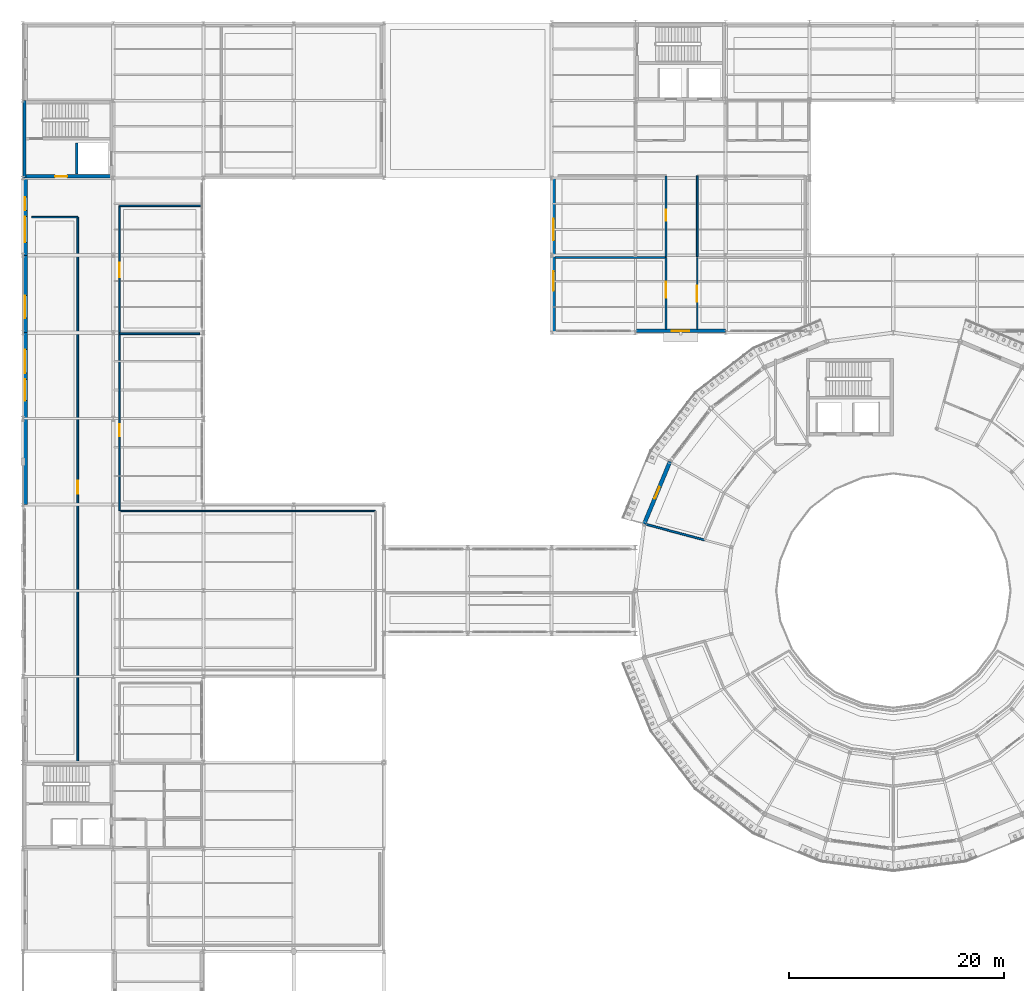
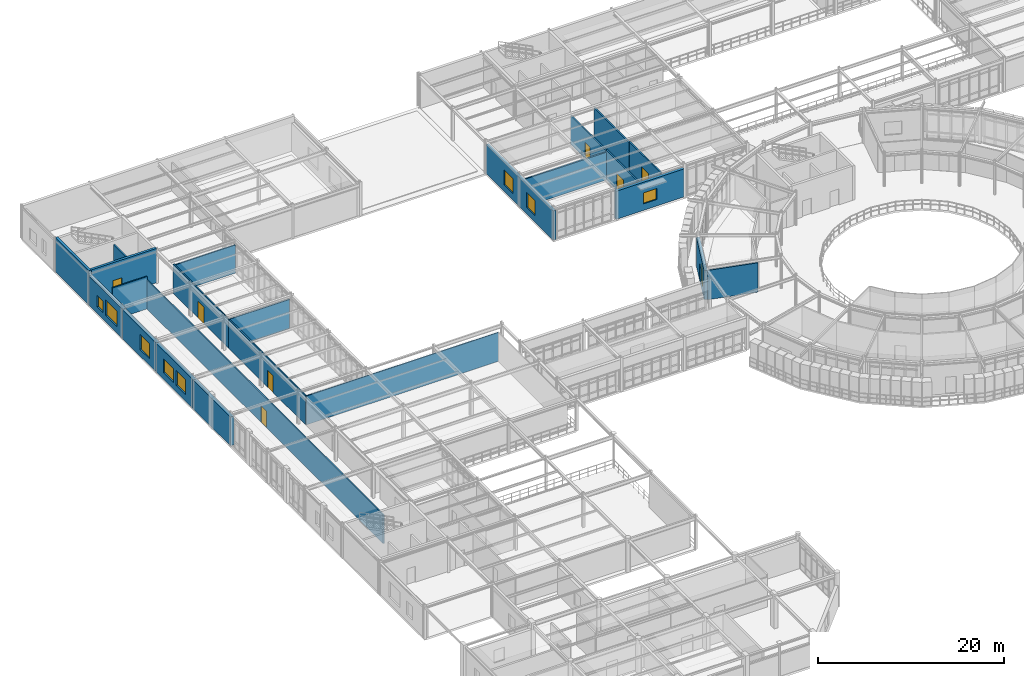
# One storey, part 88 of 106: 23 walls, 8 doors, 8 windows, 16 openings.
"""IFC4 building model written with IfcOpenShell, lengths in metres."""

from ifc_helpers import new_model, si_unit, derived_unit, direction, frame, frame_2d, origin, place, context, subcontext, project, spatial, rectangle, extrude, material, layer, layer_set, type_object, element, fill, save


model = new_model("IFC4")

# Units and contexts
model_context = context("Model", 3, precision=1e-05, world=origin(), true_north=direction((0.0, 1.0)))
body_context = subcontext(model_context, "Body", "Model", "MODEL_VIEW")
ifc_project = project(units=[si_unit("LENGTHUNIT", "METRE"), si_unit("AREAUNIT", "SQUARE_METRE"), si_unit("VOLUMEUNIT", "CUBIC_METRE"), si_unit("PLANEANGLEUNIT", "RADIAN"), si_unit("MASSUNIT", "GRAM", prefix="KILO"), derived_unit("THERMALTRANSMITTANCEUNIT", [(si_unit("POWERUNIT", "WATT"), 1), (si_unit("AREAUNIT", "SQUARE_METRE"), -1), (si_unit("THERMODYNAMICTEMPERATUREUNIT", "KELVIN"), -1)])], contexts=[model_context])

# Site, building, storey
site_placement = place(None, origin())
site = spatial("IfcSite", under=ifc_project, at=site_placement, CompositionType="ELEMENT")
building_placement = place(site_placement, origin())
building = spatial("IfcBuilding", under=site, at=building_placement, Name="Yasenodar Specialist Clinic", CompositionType="ELEMENT")
storey_placement = place(building_placement, frame((0.0, 0.0, 4.5)))
storey = spatial("IfcBuildingStorey", under=building, at=storey_placement, Name="L01", CompositionType="ELEMENT", Elevation=4.5)

# Wall, opening, door
ifc_material_1 = material(Name="Drum Insulated Terracotta Chord Wall", Category="masonry")
ifc_layer_1 = layer(ifc_material_1, 0.364990234375)
ifc_layer_set_1 = layer_set([ifc_layer_1], Name="Drum Insulated Terracotta Chord Wall")
wall_type_1 = type_object("IfcWallType", Name="EW-DRUM-365", PredefinedType="SOLIDWALL", material=ifc_layer_set_1)
wall_1_placement = place(storey_placement, frame((57.81787109375, 65.01171875, 0.0), z_axis=(0.0, 0.0, 1.0), x_axis=(0.382663829839, 0.9238876519, 0.0)))
wall_1 = element("IfcWall", 1, at=wall_1_placement, inside=storey, type_object=wall_type_1, Name="L01 Exterior Facade Wall 0012", PredefinedType="SOLIDWALL", context=body_context, shape_type="SweptSolid", body=[
    extrude(rectangle(XDim=6.26513671875, YDim=0.364990234375, at=frame_2d((3.132568359375, 0.0))), origin(), (0.0, 0.0, 1.0), 3.837890625),
])
opening_1_placement = place(wall_1_placement, frame((2.5576171875, 0.0, 0.0)))
opening_1 = element("IfcOpeningElement", 2, at=opening_1_placement, cuts=wall_1, Name="Opening BD-02", PredefinedType="OPENING", context=body_context, shape_type="SweptSolid", body=[
    extrude(rectangle(XDim=1.14990234375, YDim=2.199951171875, at=frame_2d((0.574951171875, 1.10009765625))), frame((0.0, 0.1923828125, 0.0), z_axis=(0.0, -1.0, 0.0), x_axis=(1.0, 0.0, 0.0)), (0.0, 0.0, 1.0), 0.385009765625),
])
ifc_material_2 = material(Name="Thermally Broken Bronze Anodized Aluminium and Laminated Glass", Category="aluminium")
door_type_1 = type_object("IfcDoorType", Name="DR-BALC-115", OperationType="NOTDEFINED", PredefinedType="DOOR", material=ifc_material_2)
door_1_placement = place(opening_1_placement, origin())
door_1 = element("IfcDoor", 3, at=door_1_placement, inside=storey, type_object=door_type_1, Name="L01 Drum Balcony Access Door Sector 10", OperationType="SINGLE_SWING_RIGHT", OverallHeight=2.199951171875, OverallWidth=1.14990234375, PredefinedType="DOOR", context=body_context, shape_type="SweptSolid", body=[
    extrude(rectangle(XDim=1.14990234375, YDim=2.199951171875, at=frame_2d((0.574951171875, 1.10009765625))), frame((0.0, 0.02490234375, 0.0), z_axis=(0.0, -1.0, 0.0), x_axis=(1.0, 0.0, 0.0)), (0.0, 0.0, 1.0), 0.050048828125),
])
fill(opening_1, door_1)

# Wall
ifc_material_3 = material(Name="Kapustianske Red Granite Ashlar Rainscreen", Category="masonry")
ifc_layer_2 = layer(ifc_material_3, 0.419921875)
ifc_layer_set_2 = layer_set([ifc_layer_2], Name="Kapustianske Red Granite Ashlar Rainscreen")
wall_type_2 = type_object("IfcWallType", Name="EW-GRAN-420", PredefinedType="SOLIDWALL", material=ifc_layer_set_2)
wall_2_placement = place(storey_placement, frame((0.199951171875, 66.800048828125, 0.0), z_axis=(0.0, 0.0, 1.0), x_axis=(0.0, 1.0, 0.0)))
element("IfcWall", 4, at=wall_2_placement, inside=storey, type_object=wall_type_2, Name="L01 Exterior Facade Wall 0092", PredefinedType="SOLIDWALL", context=body_context, shape_type="SweptSolid", body=[
    extrude(rectangle(XDim=8.0, YDim=0.419921875, at=frame_2d((4.0, 0.0))), origin(), (0.0, 0.0, 1.0), 3.778076171875),
])

# Wall, openings, windows
wall_3_placement = place(storey_placement, frame((0.199951171875, 74.800048828125, 0.0), z_axis=(0.0, 0.0, 1.0), x_axis=(0.0, 1.0, 0.0)))
wall_3 = element("IfcWall", 5, at=wall_3_placement, inside=storey, type_object=wall_type_2, Name="L01 Exterior Facade Wall 0093", PredefinedType="SOLIDWALL", context=body_context, shape_type="SweptSolid", body=[
    extrude(rectangle(XDim=8.0, YDim=0.419921875, at=frame_2d((4.0, 0.0))), origin(), (0.0, 0.0, 1.0), 3.778076171875),
])
opening_2_placement = place(wall_3_placement, frame((1.666748046875, 0.0, 0.85009765625)))
opening_2 = element("IfcOpeningElement", 6, at=opening_2_placement, cuts=wall_3, Name="Opening W-06", PredefinedType="OPENING", context=body_context, shape_type="SweptSolid", body=[
    extrude(rectangle(XDim=2.0, YDim=1.949951171875, at=frame_2d((1.0, 0.97509765625))), frame((0.0, 0.219970703125, 0.0), z_axis=(0.0, -1.0, 0.0), x_axis=(1.0, 0.0, 0.0)), (0.0, 0.0, 1.0), 0.43994140625),
])
opening_3_placement = place(wall_3_placement, frame((4.2333984375, 0.0, 0.85009765625)))
opening_3 = element("IfcOpeningElement", 7, at=opening_3_placement, cuts=wall_3, Name="Opening W-13", PredefinedType="OPENING", context=body_context, shape_type="SweptSolid", body=[
    extrude(rectangle(XDim=2.199951171875, YDim=1.85009765625, at=frame_2d((1.10009765625, 0.925048828125))), frame((0.0, 0.219970703125, 0.0), z_axis=(0.0, -1.0, 0.0), x_axis=(1.0, 0.0, 0.0)), (0.0, 0.0, 1.0), 0.43994140625),
])
ifc_material_4 = material(Name="Triple Low-E Argon Glazing in Bronze Aluminium Frame", Category="aluminium")
window_type_1 = type_object("IfcWindowType", Name="WIN-EXT-06", PartitioningType="SINGLE_PANEL", PredefinedType="WINDOW", material=ifc_material_4)
window_1_placement = place(opening_2_placement, origin())
window_1 = element("IfcWindow", 8, at=window_1_placement, inside=storey, type_object=window_type_1, Name="L01 Triple-Glazed Reveal Window 0081", OverallHeight=1.949951171875, OverallWidth=2.0, PartitioningType="SINGLE_PANEL", PredefinedType="WINDOW", context=body_context, shape_type="SweptSolid", body=[
    extrude(rectangle(XDim=2.0, YDim=1.949951171875, at=frame_2d((1.0, 0.97509765625))), frame((0.0, 0.030029296875, 0.0), z_axis=(0.0, -1.0, 0.0), x_axis=(1.0, 0.0, 0.0)), (0.0, 0.0, 1.0), 0.06005859375),
])
fill(opening_2, window_1)
window_type_2 = type_object("IfcWindowType", Name="WIN-EXT-13", PartitioningType="SINGLE_PANEL", PredefinedType="WINDOW", material=ifc_material_4)
window_2_placement = place(opening_3_placement, origin())
window_2 = element("IfcWindow", 9, at=window_2_placement, inside=storey, type_object=window_type_2, Name="L01 Triple-Glazed Reveal Window 0082", OverallHeight=1.85009765625, OverallWidth=2.199951171875, PartitioningType="SINGLE_PANEL", PredefinedType="WINDOW", context=body_context, shape_type="SweptSolid", body=[
    extrude(rectangle(XDim=2.199951171875, YDim=1.85009765625, at=frame_2d((1.10009765625, 0.925048828125))), frame((0.0, 0.030029296875, 0.0), z_axis=(0.0, -1.0, 0.0), x_axis=(1.0, 0.0, 0.0)), (0.0, 0.0, 1.0), 0.06005859375),
])
fill(opening_3, window_2)

# Wall, opening, window
wall_4_placement = place(storey_placement, frame((0.199951171875, 82.800048828125, 0.0), z_axis=(0.0, 0.0, 1.0), x_axis=(0.0, 1.0, 0.0)))
wall_4 = element("IfcWall", 10, at=wall_4_placement, inside=storey, type_object=wall_type_2, Name="L01 Exterior Facade Wall 0094", PredefinedType="SOLIDWALL", context=body_context, shape_type="SweptSolid", body=[
    extrude(rectangle(XDim=7.199951171875, YDim=0.419921875, at=frame_2d((3.60009765625, 0.0))), origin(), (0.0, 0.0, 1.0), 3.7880859375),
])
opening_4_placement = place(wall_4_placement, frame((1.35009765625, 0.0, 0.85009765625)))
opening_4 = element("IfcOpeningElement", 11, at=opening_4_placement, cuts=wall_4, Name="Opening W-07", PredefinedType="OPENING", context=body_context, shape_type="SweptSolid", body=[
    extrude(rectangle(XDim=2.10009765625, YDim=2.0, at=frame_2d((1.050048828125, 1.0))), frame((0.0, 0.219970703125, 0.0), z_axis=(0.0, -1.0, 0.0), x_axis=(1.0, 0.0, 0.0)), (0.0, 0.0, 1.0), 0.43994140625),
])
window_type_3 = type_object("IfcWindowType", Name="WIN-EXT-07", PartitioningType="SINGLE_PANEL", PredefinedType="WINDOW", material=ifc_material_4)
window_3_placement = place(opening_4_placement, origin())
window_3 = element("IfcWindow", 12, at=window_3_placement, inside=storey, type_object=window_type_3, Name="L01 Triple-Glazed Reveal Window 0083", OverallHeight=2.0, OverallWidth=2.10009765625, PartitioningType="SINGLE_PANEL", PredefinedType="WINDOW", context=body_context, shape_type="SweptSolid", body=[
    extrude(rectangle(XDim=2.10009765625, YDim=2.0, at=frame_2d((1.050048828125, 1.0))), frame((0.0, 0.030029296875, 0.0), z_axis=(0.0, -1.0, 0.0), x_axis=(1.0, 0.0, 0.0)), (0.0, 0.0, 1.0), 0.06005859375),
])
fill(opening_4, window_3)

# Wall, openings, windows
wall_5_placement = place(storey_placement, frame((0.199951171875, 90.0, 0.0), z_axis=(0.0, 0.0, 1.0), x_axis=(0.0, 1.0, 0.0)))
wall_5 = element("IfcWall", 13, at=wall_5_placement, inside=storey, type_object=wall_type_2, Name="L01 Exterior Facade Wall 0095", PredefinedType="SOLIDWALL", context=body_context, shape_type="SweptSolid", body=[
    extrude(rectangle(XDim=7.199951171875, YDim=0.419921875, at=frame_2d((3.60009765625, 0.0))), origin(), (0.0, 0.0, 1.0), 3.837890625),
])
opening_5_placement = place(wall_5_placement, frame((1.199951171875, 0.0, 0.85009765625)))
opening_5 = element("IfcOpeningElement", 14, at=opening_5_placement, cuts=wall_5, Name="Opening W-08", PredefinedType="OPENING", context=body_context, shape_type="SweptSolid", body=[
    extrude(rectangle(XDim=2.39990234375, YDim=2.050048828125, at=frame_2d((1.199951171875, 1.02490234375))), frame((0.0, 0.219970703125, 0.0), z_axis=(0.0, -1.0, 0.0), x_axis=(1.0, 0.0, 0.0)), (0.0, 0.0, 1.0), 0.43994140625),
])
opening_6_placement = place(wall_5_placement, frame((4.175048828125, 0.0, 0.85009765625)))
opening_6 = element("IfcOpeningElement", 15, at=opening_6_placement, cuts=wall_5, Name="Opening W-15", PredefinedType="OPENING", context=body_context, shape_type="SweptSolid", body=[
    extrude(rectangle(XDim=1.25, YDim=1.5, at=frame_2d((0.625, 0.75))), frame((0.0, 0.219970703125, 0.0), z_axis=(0.0, -1.0, 0.0), x_axis=(1.0, 0.0, 0.0)), (0.0, 0.0, 1.0), 0.43994140625),
])
window_type_4 = type_object("IfcWindowType", Name="WIN-EXT-08", PartitioningType="SINGLE_PANEL", PredefinedType="WINDOW", material=ifc_material_4)
window_4_placement = place(opening_5_placement, origin())
window_4 = element("IfcWindow", 16, at=window_4_placement, inside=storey, type_object=window_type_4, Name="L01 Triple-Glazed Reveal Window 0084", OverallHeight=2.050048828125, OverallWidth=2.39990234375, PartitioningType="SINGLE_PANEL", PredefinedType="WINDOW", context=body_context, shape_type="SweptSolid", body=[
    extrude(rectangle(XDim=2.39990234375, YDim=2.050048828125, at=frame_2d((1.199951171875, 1.02490234375))), frame((0.0, 0.030029296875, 0.0), z_axis=(0.0, -1.0, 0.0), x_axis=(1.0, 0.0, 0.0)), (0.0, 0.0, 1.0), 0.06005859375),
])
fill(opening_5, window_4)
window_type_5 = type_object("IfcWindowType", Name="WIN-EXT-15", PartitioningType="SINGLE_PANEL", PredefinedType="WINDOW", material=ifc_material_4)
window_5_placement = place(opening_6_placement, origin())
window_5 = element("IfcWindow", 17, at=window_5_placement, inside=storey, type_object=window_type_5, Name="L01 Triple-Glazed Reveal Window 0085", OverallHeight=1.5, OverallWidth=1.25, PartitioningType="SINGLE_PANEL", PredefinedType="WINDOW", context=body_context, shape_type="SweptSolid", body=[
    extrude(rectangle(XDim=1.25, YDim=1.5, at=frame_2d((0.625, 0.75))), frame((0.0, 0.030029296875, 0.0), z_axis=(0.0, -1.0, 0.0), x_axis=(1.0, 0.0, 0.0)), (0.0, 0.0, 1.0), 0.06005859375),
])
fill(opening_6, window_5)

# Wall, opening, window
ifc_material_5 = material(Name="Buff Architectural Terracotta Rainscreen", Category="masonry")
ifc_layer_3 = layer(ifc_material_5, 0.340087890625)
ifc_layer_set_3 = layer_set([ifc_layer_3], Name="Buff Architectural Terracotta Rainscreen")
wall_type_3 = type_object("IfcWallType", Name="EW-TERR-340", PredefinedType="SOLIDWALL", material=ifc_layer_set_3)
wall_6_placement = place(storey_placement, frame((65.39990234375, 82.969970703125, 0.0), z_axis=(0.0, 0.0, 1.0), x_axis=(-1.0, 0.0, 0.0)))
wall_6 = element("IfcWall", 18, at=wall_6_placement, inside=storey, type_object=wall_type_3, Name="L01 Exterior Facade Wall 0138", PredefinedType="SOLIDWALL", context=body_context, shape_type="SweptSolid", body=[
    extrude(rectangle(XDim=8.39990234375, YDim=0.340087890625, at=frame_2d((4.199951171875, 0.0))), origin(), (0.0, 0.0, 1.0), 3.677978515625),
])
opening_7_placement = place(wall_6_placement, frame((3.375, 0.0, 0.85009765625)))
opening_7 = element("IfcOpeningElement", 19, at=opening_7_placement, cuts=wall_6, Name="Opening W-20", PredefinedType="OPENING", context=body_context, shape_type="SweptSolid", body=[
    extrude(rectangle(XDim=1.64990234375, YDim=1.449951171875, at=frame_2d((0.824951171875, 0.72509765625))), frame((0.0, 0.18017578125, 0.0), z_axis=(0.0, -1.0, 0.0), x_axis=(1.0, 0.0, 0.0)), (0.0, 0.0, 1.0), 0.360107421875),
])
window_type_6 = type_object("IfcWindowType", Name="WIN-EXT-20", PartitioningType="SINGLE_PANEL", PredefinedType="WINDOW", material=ifc_material_4)
window_6_placement = place(opening_7_placement, origin())
window_6 = element("IfcWindow", 20, at=window_6_placement, inside=storey, type_object=window_type_6, Name="L01 Triple-Glazed Reveal Window 0154", OverallHeight=1.449951171875, OverallWidth=1.64990234375, PartitioningType="SINGLE_PANEL", PredefinedType="WINDOW", context=body_context, shape_type="SweptSolid", body=[
    extrude(rectangle(XDim=1.64990234375, YDim=1.449951171875, at=frame_2d((0.824951171875, 0.72509765625))), frame((0.0, 0.030029296875, 0.0), z_axis=(0.0, -1.0, 0.0), x_axis=(1.0, 0.0, 0.0)), (0.0, 0.0, 1.0), 0.06005859375),
])
fill(opening_7, window_6)

# Wall, openings, windows
wall_7_placement = place(storey_placement, frame((49.3701171875, 82.800048828125, 0.0), z_axis=(0.0, 0.0, 1.0), x_axis=(0.0, 1.0, 0.0)))
wall_7 = element("IfcWall", 21, at=wall_7_placement, inside=storey, type_object=wall_type_3, Name="L01 Exterior Facade Wall 0158", PredefinedType="SOLIDWALL", context=body_context, shape_type="SweptSolid", body=[
    extrude(rectangle(XDim=14.39990234375, YDim=0.340087890625, at=frame_2d((7.199951171875, 0.0))), origin(), (0.0, 0.0, 1.0), 3.827880859375),
])
opening_8_placement = place(wall_7_placement, frame((3.89990234375, 0.0, 0.85009765625)))
opening_8 = element("IfcOpeningElement", 22, at=opening_8_placement, cuts=wall_7, Name="Opening W-05", PredefinedType="OPENING", context=body_context, shape_type="SweptSolid", body=[
    extrude(rectangle(XDim=1.800048828125, YDim=1.949951171875, at=frame_2d((0.89990234375, 0.97509765625))), frame((0.0, 0.18017578125, 0.0), z_axis=(0.0, -1.0, 0.0), x_axis=(1.0, 0.0, 0.0)), (0.0, 0.0, 1.0), 0.360107421875),
])
opening_9_placement = place(wall_7_placement, frame((8.60009765625, 0.0, 0.85009765625)))
opening_9 = element("IfcOpeningElement", 23, at=opening_9_placement, cuts=wall_7, Name="Opening W-06", PredefinedType="OPENING", context=body_context, shape_type="SweptSolid", body=[
    extrude(rectangle(XDim=2.0, YDim=1.949951171875, at=frame_2d((1.0, 0.97509765625))), frame((0.0, 0.18017578125, 0.0), z_axis=(0.0, -1.0, 0.0), x_axis=(1.0, 0.0, 0.0)), (0.0, 0.0, 1.0), 0.360107421875),
])
window_type_7 = type_object("IfcWindowType", Name="WIN-EXT-05", PartitioningType="SINGLE_PANEL", PredefinedType="WINDOW", material=ifc_material_4)
window_7_placement = place(opening_8_placement, origin())
window_7 = element("IfcWindow", 24, at=window_7_placement, inside=storey, type_object=window_type_7, Name="L01 Triple-Glazed Reveal Window 0172", OverallHeight=1.949951171875, OverallWidth=1.800048828125, PartitioningType="SINGLE_PANEL", PredefinedType="WINDOW", context=body_context, shape_type="SweptSolid", body=[
    extrude(rectangle(XDim=1.800048828125, YDim=1.949951171875, at=frame_2d((0.89990234375, 0.97509765625))), frame((0.0, 0.030029296875, 0.0), z_axis=(0.0, -1.0, 0.0), x_axis=(1.0, 0.0, 0.0)), (0.0, 0.0, 1.0), 0.06005859375),
])
fill(opening_8, window_7)
window_8_placement = place(opening_9_placement, origin())
window_8 = element("IfcWindow", 25, at=window_8_placement, inside=storey, type_object=window_type_1, Name="L01 Triple-Glazed Reveal Window 0173", OverallHeight=1.949951171875, OverallWidth=2.0, PartitioningType="SINGLE_PANEL", PredefinedType="WINDOW", context=body_context, shape_type="SweptSolid", body=[
    extrude(rectangle(XDim=2.0, YDim=1.949951171875, at=frame_2d((1.0, 0.97509765625))), frame((0.0, 0.030029296875, 0.0), z_axis=(0.0, -1.0, 0.0), x_axis=(1.0, 0.0, 0.0)), (0.0, 0.0, 1.0), 0.06005859375),
])
fill(opening_9, window_8)

# Wall, opening, door
ifc_material_6 = material(Name="Outpatient Examination Partition")
ifc_layer_4 = layer(ifc_material_6, 0.14990234375)
ifc_layer_set_4 = layer_set([ifc_layer_4], Name="Outpatient Examination Partition")
wall_type_4 = type_object("IfcWallType", Name="IW-CONS-150", PredefinedType="PARTITIONING", material=ifc_layer_set_4)
wall_8_placement = place(storey_placement, frame((5.10009765625, 42.780029296875, 0.0), z_axis=(0.0, 0.0, 1.0), x_axis=(0.0, 1.0, 0.0)))
wall_8 = element("IfcWall", 26, at=wall_8_placement, inside=storey, type_object=wall_type_4, Name="L01 Cardiology Outpatient Consulting Suite Partition", PredefinedType="PARTITIONING", context=body_context, shape_type="SweptSolid", body=[
    extrude(rectangle(XDim=50.77001953125, YDim=0.14990234375, at=frame_2d((25.385009765625, 0.0))), origin(), (0.0, 0.0, 1.0), 3.778076171875),
])
opening_10_placement = place(wall_8_placement, frame((25.044921875, 0.0, 0.0)))
opening_10 = element("IfcOpeningElement", 27, at=opening_10_placement, cuts=wall_8, Name="Opening D-06", PredefinedType="OPENING", context=body_context, shape_type="SweptSolid", body=[
    extrude(rectangle(XDim=1.179931640625, YDim=2.199951171875, at=frame_2d((0.58984375, 1.10009765625))), frame((0.0, 0.0849609375, 0.0), z_axis=(0.0, -1.0, 0.0), x_axis=(1.0, 0.0, 0.0)), (0.0, 0.0, 1.0), 0.169921875),
])
ifc_material_7 = material(Name="Powder-Coated Steel and Acoustic Laminate Leaf", Category="steel")
door_type_2 = type_object("IfcDoorType", Name="DR-CLN-118", OperationType="NOTDEFINED", PredefinedType="DOOR", material=ifc_material_7)
door_2_placement = place(opening_10_placement, origin())
door_2 = element("IfcDoor", 28, at=door_2_placement, inside=storey, type_object=door_type_2, Name="L01 Cardiology Outpatient Consulting Suite Door", OperationType="SINGLE_SWING_RIGHT", OverallHeight=2.199951171875, OverallWidth=1.179931640625, PredefinedType="DOOR", context=body_context, shape_type="SweptSolid", body=[
    extrude(rectangle(XDim=1.179931640625, YDim=2.199951171875, at=frame_2d((0.58984375, 1.10009765625))), frame((0.0, 0.02490234375, 0.0), z_axis=(0.0, -1.0, 0.0), x_axis=(1.0, 0.0, 0.0)), (0.0, 0.0, 1.0), 0.050048828125),
])
fill(opening_10, door_2)

# Wall
wall_9_placement = place(storey_placement, frame((5.10009765625, 93.550048828125, 0.0), z_axis=(0.0, 0.0, 1.0), x_axis=(-1.0, 0.0, 0.0)))
element("IfcWall", 29, at=wall_9_placement, inside=storey, type_object=wall_type_4, Name="L01 Cardiology Outpatient Consulting Suite Partition", PredefinedType="PARTITIONING", context=body_context, shape_type="SweptSolid", body=[
    extrude(rectangle(XDim=4.300048828125, YDim=0.14990234375, at=frame_2d((2.14990234375, 0.0))), origin(), (0.0, 0.0, 1.0), 4.22998046875),
])

# Wall, opening, door
wall_10_placement = place(storey_placement, frame((9.0, 82.699951171875, 0.0), z_axis=(0.0, 0.0, 1.0), x_axis=(0.0, -1.0, 0.0)))
wall_10 = element("IfcWall", 30, at=wall_10_placement, inside=storey, type_object=wall_type_4, Name="L01 Diabetes Education Consulting Room Partition", PredefinedType="PARTITIONING", context=body_context, shape_type="SweptSolid", body=[
    extrude(rectangle(XDim=16.46240234375, YDim=0.14990234375, at=frame_2d((8.231201171875, 0.0))), origin(), (0.0, 0.0, 1.0), 3.827880859375),
])
opening_11_placement = place(wall_10_placement, frame((8.39990234375, 0.0, 0.0)))
opening_11 = element("IfcOpeningElement", 31, at=opening_11_placement, cuts=wall_10, Name="Opening D-05", PredefinedType="OPENING", context=body_context, shape_type="SweptSolid", body=[
    extrude(rectangle(XDim=1.1201171875, YDim=2.179931640625, at=frame_2d((0.56005859375, 1.08984375))), frame((0.0, 0.0849609375, 0.0), z_axis=(0.0, -1.0, 0.0), x_axis=(1.0, 0.0, 0.0)), (0.0, 0.0, 1.0), 0.169921875),
])
door_type_3 = type_object("IfcDoorType", Name="DR-CLN-112", OperationType="NOTDEFINED", PredefinedType="DOOR", material=ifc_material_7)
door_3_placement = place(opening_11_placement, origin())
door_3 = element("IfcDoor", 32, at=door_3_placement, inside=storey, type_object=door_type_3, Name="L01 Diabetes Education Consulting Room Door", OperationType="SINGLE_SWING_LEFT", OverallHeight=2.179931640625, OverallWidth=1.1201171875, PredefinedType="DOOR", context=body_context, shape_type="SweptSolid", body=[
    extrude(rectangle(XDim=1.1201171875, YDim=2.179931640625, at=frame_2d((0.56005859375, 1.08984375))), frame((0.0, 0.02490234375, 0.0), z_axis=(0.0, -1.0, 0.0), x_axis=(1.0, 0.0, 0.0)), (0.0, 0.0, 1.0), 0.050048828125),
])
fill(opening_11, door_3)

# Walls
wall_11_placement = place(storey_placement, frame((16.449951171875, 82.699951171875, 0.0), z_axis=(0.0, 0.0, 1.0), x_axis=(-1.0, 0.0, 0.0)))
element("IfcWall", 33, at=wall_11_placement, inside=storey, type_object=wall_type_4, Name="L01 Diabetes Education Consulting Room Partition", PredefinedType="PARTITIONING", context=body_context, shape_type="SweptSolid", body=[
    extrude(rectangle(XDim=7.449951171875, YDim=0.14990234375, at=frame_2d((3.72509765625, 0.0))), origin(), (0.0, 0.0, 1.0), 3.837890625),
])
ifc_material_8 = material(Name="Lightweight Counseling Partition")
ifc_layer_5 = layer(ifc_material_8, 0.114990234375)
ifc_layer_set_5 = layer_set([ifc_layer_5], Name="Lightweight Counseling Partition")
wall_type_5 = type_object("IfcWallType", Name="IW-PART-115", PredefinedType="PARTITIONING", material=ifc_layer_set_5)
wall_12_placement = place(storey_placement, frame((9.0, 66.199951171875, 0.0), z_axis=(0.0, 0.0, 1.0), x_axis=(1.0, 0.0, 0.0)))
element("IfcWall", 34, at=wall_12_placement, inside=storey, type_object=wall_type_5, Name="L01 Light Bridge Waiting Lounge Partition", PredefinedType="PARTITIONING", context=body_context, shape_type="SweptSolid", body=[
    extrude(rectangle(XDim=23.800048828125, YDim=0.114990234375, at=frame_2d((11.89990234375, 0.0))), origin(), (0.0, 0.0, 1.0), 3.778076171875),
])

# Wall, opening, door
ifc_material_9 = material(Name="Clinical Sub-Division Partition")
ifc_layer_6 = layer(ifc_material_9, 0.125)
ifc_layer_set_6 = layer_set([ifc_layer_6], Name="Clinical Sub-Division Partition")
wall_type_6 = type_object("IfcWallType", Name="IW-PART-125", PredefinedType="PARTITIONING", material=ifc_layer_set_6)
wall_13_placement = place(storey_placement, frame((9.0, 94.60009765625, 0.0), z_axis=(0.0, 0.0, 1.0), x_axis=(0.0, -1.0, 0.0)))
wall_13 = element("IfcWall", 35, at=wall_13_placement, inside=storey, type_object=wall_type_6, Name="L01 Metabolic Nutrition Consulting Room Partition", PredefinedType="PARTITIONING", context=body_context, shape_type="SweptSolid", body=[
    extrude(rectangle(XDim=11.84521484375, YDim=0.125, at=frame_2d((5.922607421875, 0.0))), origin(), (0.0, 0.0, 1.0), 3.837890625),
])
opening_12_placement = place(wall_13_placement, frame((5.300048828125, 0.0, 0.0)))
opening_12 = element("IfcOpeningElement", 36, at=opening_12_placement, cuts=wall_13, Name="Opening D-11", PredefinedType="OPENING", context=body_context, shape_type="SweptSolid", body=[
    extrude(rectangle(XDim=1.360107421875, YDim=2.199951171875, at=frame_2d((0.68017578125, 1.10009765625))), frame((0.0, 0.072509765625, 0.0), z_axis=(0.0, -1.0, 0.0), x_axis=(1.0, 0.0, 0.0)), (0.0, 0.0, 1.0), 0.14501953125),
])
door_type_4 = type_object("IfcDoorType", Name="DR-PLT-136", OperationType="NOTDEFINED", PredefinedType="DOOR", material=ifc_material_7)
door_4_placement = place(opening_12_placement, origin())
door_4 = element("IfcDoor", 37, at=door_4_placement, inside=storey, type_object=door_type_4, Name="L01 Metabolic Nutrition Consulting Room Door", OperationType="SINGLE_SWING_RIGHT", OverallHeight=2.199951171875, OverallWidth=1.360107421875, PredefinedType="DOOR", context=body_context, shape_type="SweptSolid", body=[
    extrude(rectangle(XDim=1.360107421875, YDim=2.199951171875, at=frame_2d((0.68017578125, 1.10009765625))), frame((0.0, 0.02490234375, 0.0), z_axis=(0.0, -1.0, 0.0), x_axis=(1.0, 0.0, 0.0)), (0.0, 0.0, 1.0), 0.050048828125),
])
fill(opening_12, door_4)

# Walls
wall_14_placement = place(storey_placement, frame((16.590087890625, 94.60009765625, 0.0), z_axis=(0.0, 0.0, 1.0), x_axis=(-1.0, 0.0, 0.0)))
element("IfcWall", 38, at=wall_14_placement, inside=storey, type_object=wall_type_6, Name="L01 Metabolic Nutrition Consulting Room Partition", PredefinedType="PARTITIONING", context=body_context, shape_type="SweptSolid", body=[
    extrude(rectangle(XDim=7.590087890625, YDim=0.125, at=frame_2d((3.794921875, 0.0))), origin(), (0.0, 0.0, 1.0), 3.677978515625),
])
ifc_material_10 = material(Name="Hygienic Double-Stud Clinical Partition")
ifc_layer_7 = layer(ifc_material_10, 0.179931640625)
ifc_layer_set_7 = layer_set([ifc_layer_7], Name="Hygienic Double-Stud Clinical Partition")
wall_type_7 = type_object("IfcWallType", Name="IW-PROC-180", PredefinedType="PARTITIONING", material=ifc_layer_set_7)
wall_15_placement = place(storey_placement, frame((63.420166015625, 63.510498046875, 0.0), z_axis=(0.0, 0.0, 1.0), x_axis=(-0.965922914043, 0.258829913508, 0.0)))
element("IfcWall", 39, at=wall_15_placement, inside=storey, type_object=wall_type_7, Name="L01 Oncology Infusion Bay Suite North-West Partition", PredefinedType="PARTITIONING", context=body_context, shape_type="SweptSolid", body=[
    extrude(rectangle(XDim=5.635986328125, YDim=0.179931640625, at=frame_2d((2.81787109375, 0.0))), origin(), (0.0, 0.0, 1.0), 3.837890625),
])

# Wall, opening, door
wall_16_placement = place(storey_placement, frame((59.85009765625, 83.1201171875, 0.0), z_axis=(0.0, 0.0, 1.0), x_axis=(0.0, 1.0, 0.0)))
wall_16 = element("IfcWall", 40, at=wall_16_placement, inside=storey, type_object=wall_type_7, Name="L01 Endoscopy Procedure Suite 01 Partition", PredefinedType="PARTITIONING", context=body_context, shape_type="SweptSolid", body=[
    extrude(rectangle(XDim=6.679931640625, YDim=0.179931640625, at=frame_2d((3.33984375, 0.0))), origin(), (0.0, 0.0, 1.0), 3.927978515625),
])
opening_13_placement = place(wall_16_placement, frame((2.929931640625, 0.0, 0.0)))
opening_13 = element("IfcOpeningElement", 41, at=opening_13_placement, cuts=wall_16, Name="Opening D-09", PredefinedType="OPENING", context=body_context, shape_type="SweptSolid", body=[
    extrude(rectangle(XDim=1.47998046875, YDim=2.239990234375, at=frame_2d((0.739990234375, 1.1201171875))), frame((0.0, 0.10009765625, 0.0), z_axis=(0.0, -1.0, 0.0), x_axis=(1.0, 0.0, 0.0)), (0.0, 0.0, 1.0), 0.199951171875),
])
door_type_5 = type_object("IfcDoorType", Name="DR-BED-148", OperationType="DOUBLE_DOOR_SINGLE_SWING", PredefinedType="DOOR", material=ifc_material_7)
door_5_placement = place(opening_13_placement, origin())
door_5 = element("IfcDoor", 42, at=door_5_placement, inside=storey, type_object=door_type_5, Name="L01 Endoscopy Procedure Suite 01 Door", OperationType="DOUBLE_DOOR_SINGLE_SWING", OverallHeight=2.239990234375, OverallWidth=1.47998046875, PredefinedType="DOOR", context=body_context, shape_type="SweptSolid", body=[
    extrude(rectangle(XDim=1.47998046875, YDim=2.239990234375, at=frame_2d((0.739990234375, 1.1201171875))), frame((0.0, 0.02490234375, 0.0), z_axis=(0.0, -1.0, 0.0), x_axis=(1.0, 0.0, 0.0)), (0.0, 0.0, 1.0), 0.050048828125),
])
fill(opening_13, door_5)

# Wall
wall_17_placement = place(storey_placement, frame((59.85009765625, 89.800048828125, 0.0), z_axis=(0.0, 0.0, 1.0), x_axis=(-1.0, 0.0, 0.0)))
element("IfcWall", 43, at=wall_17_placement, inside=storey, type_object=wall_type_7, Name="L01 Endoscopy Procedure Suite 01 Partition", PredefinedType="PARTITIONING", context=body_context, shape_type="SweptSolid", body=[
    extrude(rectangle(XDim=10.330078125, YDim=0.179931640625, at=frame_2d((5.1650390625, 0.0))), origin(), (0.0, 0.0, 1.0), 3.6279296875),
])

# Wall, opening, door
wall_18_placement = place(storey_placement, frame((62.75, 89.800048828125, 0.0), z_axis=(0.0, 0.0, 1.0), x_axis=(0.0, -1.0, 0.0)))
wall_18 = element("IfcWall", 44, at=wall_18_placement, inside=storey, type_object=wall_type_7, Name="L01 Endoscopy Procedure Suite 02 Partition", PredefinedType="PARTITIONING", context=body_context, shape_type="SweptSolid", body=[
    extrude(rectangle(XDim=6.679931640625, YDim=0.179931640625, at=frame_2d((3.33984375, 0.0))), origin(), (0.0, 0.0, 1.0), 3.927978515625),
])
opening_14_placement = place(wall_18_placement, frame((2.64990234375, 0.0, 0.0)))
opening_14 = element("IfcOpeningElement", 45, at=opening_14_placement, cuts=wall_18, Name="Opening D-09", PredefinedType="OPENING", context=body_context, shape_type="SweptSolid", body=[
    extrude(rectangle(XDim=1.47998046875, YDim=2.239990234375, at=frame_2d((0.739990234375, 1.1201171875))), frame((0.0, 0.10009765625, 0.0), z_axis=(0.0, -1.0, 0.0), x_axis=(1.0, 0.0, 0.0)), (0.0, 0.0, 1.0), 0.199951171875),
])
door_6_placement = place(opening_14_placement, origin())
door_6 = element("IfcDoor", 46, at=door_6_placement, inside=storey, type_object=door_type_5, Name="L01 Endoscopy Procedure Suite 02 Door", OperationType="DOUBLE_DOOR_SINGLE_SWING", OverallHeight=2.239990234375, OverallWidth=1.47998046875, PredefinedType="DOOR", context=body_context, shape_type="SweptSolid", body=[
    extrude(rectangle(XDim=1.47998046875, YDim=2.239990234375, at=frame_2d((0.739990234375, 1.1201171875))), frame((0.0, 0.02490234375, 0.0), z_axis=(0.0, -1.0, 0.0), x_axis=(1.0, 0.0, 0.0)), (0.0, 0.0, 1.0), 0.050048828125),
])
fill(opening_14, door_6)

wall_19_placement = place(storey_placement, frame((59.85009765625, 89.8701171875, 0.0), z_axis=(0.0, 0.0, 1.0), x_axis=(0.0, 1.0, 0.0)))
wall_19 = element("IfcWall", 47, at=wall_19_placement, inside=storey, type_object=wall_type_7, Name="L01 Scope Reprocessing Clean Utility Partition", PredefinedType="PARTITIONING", context=body_context, shape_type="SweptSolid", body=[
    extrude(rectangle(XDim=7.52978515625, YDim=0.179931640625, at=frame_2d((3.764892578125, 0.0))), origin(), (0.0, 0.0, 1.0), 3.7880859375),
])
opening_15_placement = place(wall_19_placement, frame((3.330078125, 0.0, 0.0)))
opening_15 = element("IfcOpeningElement", 48, at=opening_15_placement, cuts=wall_19, Name="Opening D-04", PredefinedType="OPENING", context=body_context, shape_type="SweptSolid", body=[
    extrude(rectangle(XDim=1.06005859375, YDim=2.159912109375, at=frame_2d((0.530029296875, 1.080078125))), frame((0.0, 0.10009765625, 0.0), z_axis=(0.0, -1.0, 0.0), x_axis=(1.0, 0.0, 0.0)), (0.0, 0.0, 1.0), 0.199951171875),
])
door_type_6 = type_object("IfcDoorType", Name="DR-CLN-106", OperationType="NOTDEFINED", PredefinedType="DOOR", material=ifc_material_7)
door_7_placement = place(opening_15_placement, origin())
door_7 = element("IfcDoor", 49, at=door_7_placement, inside=storey, type_object=door_type_6, Name="L01 Scope Reprocessing Clean Utility Door", OperationType="SINGLE_SWING_RIGHT", OverallHeight=2.159912109375, OverallWidth=1.06005859375, PredefinedType="DOOR", context=body_context, shape_type="SweptSolid", body=[
    extrude(rectangle(XDim=1.06005859375, YDim=2.159912109375, at=frame_2d((0.530029296875, 1.080078125))), frame((0.0, 0.02490234375, 0.0), z_axis=(0.0, -1.0, 0.0), x_axis=(1.0, 0.0, 0.0)), (0.0, 0.0, 1.0), 0.050048828125),
])
fill(opening_15, door_7)

# Walls
wall_20_placement = place(storey_placement, frame((62.75, 97.39990234375, 0.0), z_axis=(0.0, 0.0, 1.0), x_axis=(0.0, -1.0, 0.0)))
element("IfcWall", 50, at=wall_20_placement, inside=storey, type_object=wall_type_7, Name="L01 Endoscopy Step-Down Recovery Bay Partition", PredefinedType="PARTITIONING", context=body_context, shape_type="SweptSolid", body=[
    extrude(rectangle(XDim=7.52978515625, YDim=0.179931640625, at=frame_2d((3.764892578125, 0.0))), origin(), (0.0, 0.0, 1.0), 3.7880859375),
])
ifc_material_11 = material(Name="Aerated Concrete Blockwork Fire Shaft Wall", Category="masonry")
ifc_layer_8 = layer(ifc_material_11, 0.205078125)
ifc_layer_set_8 = layer_set([ifc_layer_8], Name="Aerated Concrete Blockwork Fire Shaft Wall")
wall_type_8 = type_object("IfcWallType", Name="IW-SHAFT-205", PredefinedType="PARTITIONING", material=ifc_layer_set_8)
wall_21_placement = place(storey_placement, frame((5.0, 97.550048828125, 0.0), z_axis=(0.0, 0.0, 1.0), x_axis=(0.0, 1.0, 0.0)))
element("IfcWall", 51, at=wall_21_placement, inside=storey, type_object=wall_type_8, Name="L01 LF-03 Lift Shaft Side Wall", PredefinedType="PARTITIONING", context=body_context, shape_type="SweptSolid", body=[
    extrude(rectangle(XDim=2.89990234375, YDim=0.205078125, at=frame_2d((1.449951171875, 0.0))), origin(), (0.0, 0.0, 1.0), 4.22998046875),
])

# Wall, opening, door
ifc_material_12 = material(Name="Concrete C35/45", Category="concrete")
ifc_layer_9 = layer(ifc_material_12, 0.300048828125)
ifc_layer_set_9 = layer_set([ifc_layer_9], Name="Concrete C35/45")
wall_type_9 = type_object("IfcWallType", Name="WL-CORE-300", PredefinedType="SHEAR", material=ifc_layer_set_9)
wall_22_placement = place(storey_placement, frame((0.0, 97.35009765625, 0.0), z_axis=(0.0, 0.0, 1.0), x_axis=(1.0, 0.0, 0.0)))
wall_22 = element("IfcWall", 52, at=wall_22_placement, inside=storey, type_object=wall_type_9, Name="L01 Core C2 South Shear Wall", PredefinedType="SHEAR", context=body_context, shape_type="SweptSolid", body=[
    extrude(rectangle(XDim=8.39990234375, YDim=0.300048828125, at=frame_2d((4.199951171875, 0.0))), origin(), (0.0, 0.0, 1.0), 4.5),
])
opening_16_placement = place(wall_22_placement, frame((3.0, 0.0, 0.0)))
opening_16 = element("IfcOpeningElement", 53, at=opening_16_placement, cuts=wall_22, Name="Opening FD-01", PredefinedType="OPENING", context=body_context, shape_type="SweptSolid", body=[
    extrude(rectangle(XDim=1.10009765625, YDim=2.14990234375, at=frame_2d((0.550048828125, 1.074951171875))), frame((0.0, 0.16015625, 0.0), z_axis=(0.0, -1.0, 0.0), x_axis=(1.0, 0.0, 0.0)), (0.0, 0.0, 1.0), 0.320068359375),
])
ifc_material_13 = material(Name="Fire-Rated Insulated Steel Door", Category="steel")
door_type_7 = type_object("IfcDoorType", Name="DR-FD-110", OperationType="NOTDEFINED", PredefinedType="DOOR", material=ifc_material_13)
door_8_placement = place(opening_16_placement, origin())
door_8 = element("IfcDoor", 54, at=door_8_placement, inside=storey, type_object=door_type_7, Name="L01 Stair ST-02 Vestibule Door", OperationType="SINGLE_SWING_LEFT", OverallHeight=2.14990234375, OverallWidth=1.10009765625, PredefinedType="DOOR", context=body_context, shape_type="SweptSolid", body=[
    extrude(rectangle(XDim=1.10009765625, YDim=2.14990234375, at=frame_2d((0.550048828125, 1.074951171875))), frame((0.0, 0.02490234375, 0.0), z_axis=(0.0, -1.0, 0.0), x_axis=(1.0, 0.0, 0.0)), (0.0, 0.0, 1.0), 0.050048828125),
])
fill(opening_16, door_8)

# Wall
wall_23_placement = place(storey_placement, frame((0.14990234375, 97.199951171875, 0.0), z_axis=(0.0, 0.0, 1.0), x_axis=(0.0, 1.0, 0.0)))
element("IfcWall", 55, at=wall_23_placement, inside=storey, type_object=wall_type_9, Name="L01 Core C2 West Shear Wall", PredefinedType="SHEAR", context=body_context, shape_type="SweptSolid", body=[
    extrude(rectangle(XDim=7.199951171875, YDim=0.300048828125, at=frame_2d((3.60009765625, 0.0))), origin(), (0.0, 0.0, 1.0), 4.5),
])

save(model, "model.ifc")
